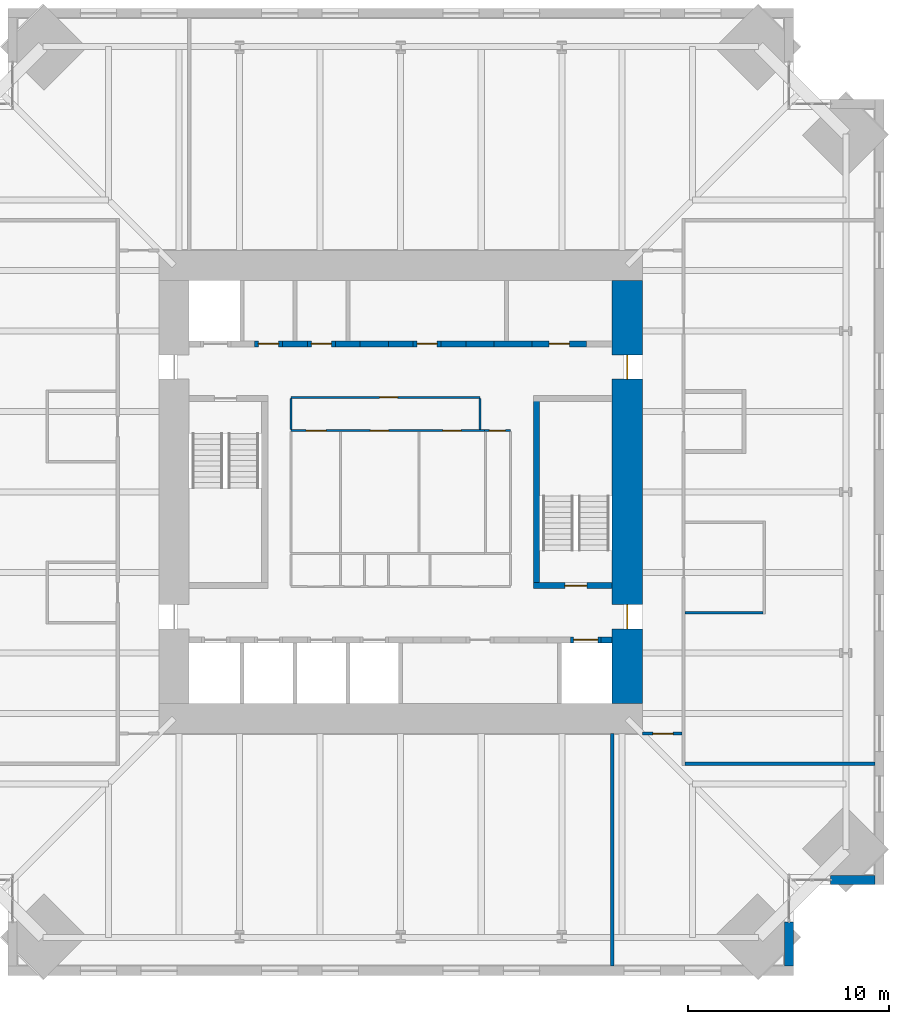
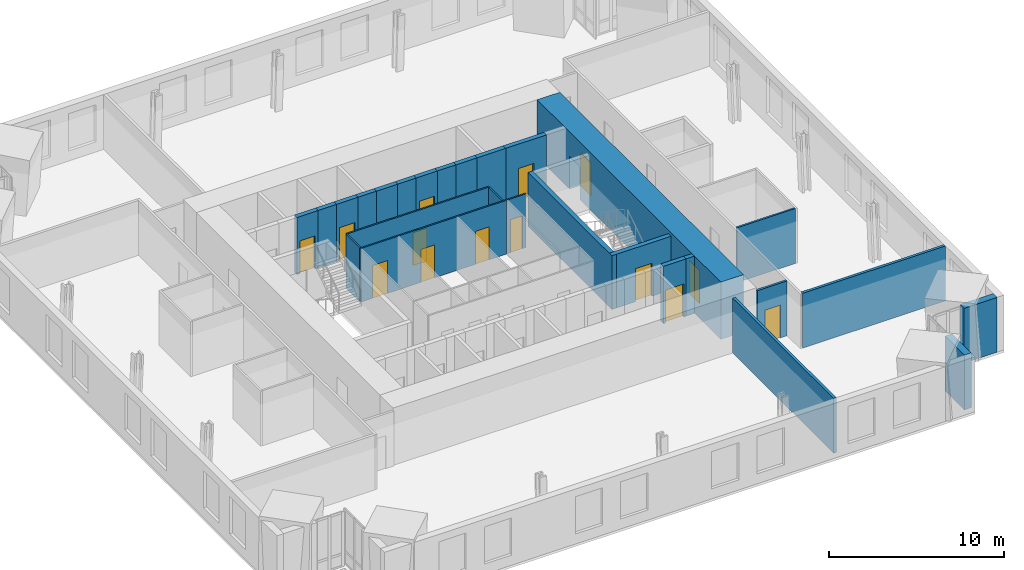
# One storey, part 12 of 15: 27 walls, 14 doors, 14 openings.
"""IFC4 building model written with IfcOpenShell, lengths in metres."""

from ifc_helpers import new_model, si_unit, direction, frame, frame_2d, origin, place, context, subcontext, project, spatial, rectangle, extrude, material, layer, layer_set, type_object, element, fill, save


model = new_model("IFC4")

# Units and contexts
model_context = context("Model", 3, precision=1e-05, world=origin(), true_north=direction((0.0, 1.0)))
body_context = subcontext(model_context, "Body", "Model", "MODEL_VIEW")
ifc_project = project(units=[si_unit("LENGTHUNIT", "METRE"), si_unit("AREAUNIT", "SQUARE_METRE"), si_unit("VOLUMEUNIT", "CUBIC_METRE"), si_unit("PLANEANGLEUNIT", "RADIAN"), si_unit("MASSUNIT", "GRAM", prefix="KILO")], contexts=[model_context])

# Site, building, storey
site_placement = place(None, origin())
site = spatial("IfcSite", under=ifc_project, at=site_placement, CompositionType="ELEMENT")
building_placement = place(site_placement, origin())
building = spatial("IfcBuilding", under=site, at=building_placement, Name="Peilmerk Tower", CompositionType="ELEMENT")
storey_placement = place(building_placement, frame((0.0, 0.0, 217.800048828125)))
storey = spatial("IfcBuildingStorey", under=building, at=storey_placement, Name="L47", CompositionType="ELEMENT", Elevation=217.800048828125)

# Walls
ifc_material_1 = material(Name="Precast concrete C45/55, board-marked finish", Category="concrete")
ifc_layer_1 = layer(ifc_material_1, 0.449951171875)
ifc_layer_set_1 = layer_set([ifc_layer_1], Name="Precast concrete C45/55, board-marked finish")
wall_type_1 = type_object("IfcWallType", Name="EW1 450 precast concrete facade wall, board-marked", PredefinedType="SOLIDWALL", material=ifc_layer_set_1)
for number, where, z_axis, x_axis, name in (
    (1, (19.27490234375, -21.353759765625, 0.0), (0.0, 0.0, 1.0), (0.0, -1.0, 0.0), "Facade wall SEA L47"),
    (2, (21.353759765625, -19.27490234375, 0.0), (0.0, 0.0, 1.0), (1.0, 0.0, 0.0), "Facade wall SEB L47"),
):
    element("IfcWall", number, at=place(storey_placement, frame(where, z_axis=z_axis, x_axis=x_axis)), inside=storey, type_object=wall_type_1, Name=name, PredefinedType="SOLIDWALL", context=body_context, shape_type="SweptSolid", body=[
        extrude(rectangle(XDim=2.1962890625, YDim=0.449951171875, at=frame_2d((1.09814453125, 0.0))), origin(), (0.0, 0.0, 1.0), 3.829833984375),
    ])

# Wall, opening, door
ifc_material_2 = material(Name="Calcium silicate block", Category="masonry")
ifc_layer_2 = layer(ifc_material_2, 0.14990234375)
ifc_layer_set_2 = layer_set([ifc_layer_2], Name="Calcium silicate block")
wall_type_2 = type_object("IfcWallType", Name="IW1 150 corridor partition, EI 60", PredefinedType="PARTITIONING", material=ifc_layer_set_2)
wall_1_placement = place(storey_placement, frame((13.97509765625, -12.0, 0.0), z_axis=(0.0, 0.0, 1.0), x_axis=(-1.0, 0.0, 0.0)))
wall_1 = element("IfcWall", 3, at=wall_1_placement, inside=storey, type_object=wall_type_2, Name="Corridor wall SE L47", PredefinedType="PARTITIONING", context=body_context, shape_type="SweptSolid", body=[
    extrude(rectangle(XDim=1.97509765625, YDim=0.14990234375, at=frame_2d((0.987548828125, 0.0))), origin(), (0.0, 0.0, 1.0), 3.829833984375),
])
opening_1_placement = place(wall_1_placement, frame((0.449951171875, 0.0, 0.0)))
opening_1 = element("IfcOpeningElement", 4, at=opening_1_placement, cuts=wall_1, Name="Opening D1", PredefinedType="OPENING", context=body_context, shape_type="SweptSolid", body=[
    extrude(rectangle(XDim=1.0, YDim=2.300048828125, at=frame_2d((0.5, 1.14990234375))), frame((0.0, 0.0849609375, 0.0), z_axis=(0.0, -1.0, 0.0), x_axis=(1.0, 0.0, 0.0)), (0.0, 0.0, 1.0), 0.169921875),
])
ifc_material_3 = material(Name="Timber door in steel frame", Category="steel")
door_type_1 = type_object("IfcDoorType", Name="D1 1000x2300 room door, EI2 30", OperationType="SINGLE_SWING_LEFT", PredefinedType="DOOR", material=ifc_material_3)
door_1_placement = place(opening_1_placement, origin())
door_1 = element("IfcDoor", 5, at=door_1_placement, inside=storey, type_object=door_type_1, Name="Door Open workspace L47", OperationType="SINGLE_SWING_LEFT", OverallHeight=2.300048828125, OverallWidth=1.0, PredefinedType="DOOR", context=body_context, shape_type="SweptSolid", body=[
    extrude(rectangle(XDim=1.0, YDim=2.300048828125, at=frame_2d((0.5, 1.14990234375))), frame((0.0, 0.02490234375, 0.0), z_axis=(0.0, -1.0, 0.0), x_axis=(1.0, 0.0, 0.0)), (0.0, 0.0, 1.0), 0.050048828125),
])
fill(opening_1, door_1)

# Wall
ifc_material_4 = material(Name="Concrete C35/45", Category="concrete")
ifc_layer_3 = layer(ifc_material_4, 0.300048828125)
ifc_layer_set_3 = layer_set([ifc_layer_3], Name="Concrete C35/45")
wall_type_3 = type_object("IfcWallType", Name="IW3 300 concrete stair enclosure wall, EI 120", PredefinedType="SOLIDWALL", material=ifc_layer_set_3)
wall_2_placement = place(storey_placement, frame((6.75, -4.800048828125, 0.0), z_axis=(0.0, 0.0, 1.0), x_axis=(0.0, 1.0, 0.0)))
element("IfcWall", 6, at=wall_2_placement, inside=storey, type_object=wall_type_3, Name="Stair 2 enclosure L47", PredefinedType="SOLIDWALL", context=body_context, shape_type="SweptSolid", body=[
    extrude(rectangle(XDim=9.60009765625, YDim=0.300048828125, at=frame_2d((4.800048828125, 0.0))), origin(), (0.0, 0.0, 1.0), 3.75),
])

# Wall, opening, door
wall_3_placement = place(storey_placement, frame((10.5, -4.64990234375, 0.0), z_axis=(0.0, 0.0, 1.0), x_axis=(-1.0, 0.0, 0.0)))
wall_3 = element("IfcWall", 7, at=wall_3_placement, inside=storey, type_object=wall_type_3, Name="Stair 2 enclosure L47", PredefinedType="SOLIDWALL", context=body_context, shape_type="SweptSolid", body=[
    extrude(rectangle(XDim=3.89990234375, YDim=0.300048828125, at=frame_2d((1.949951171875, 0.0))), origin(), (0.0, 0.0, 1.0), 3.75),
])
opening_2_placement = place(wall_3_placement, frame((1.25, 0.0, 0.0)))
opening_2 = element("IfcOpeningElement", 8, at=opening_2_placement, cuts=wall_3, Name="Opening D4", PredefinedType="OPENING", context=body_context, shape_type="SweptSolid", body=[
    extrude(rectangle(XDim=1.10009765625, YDim=2.300048828125, at=frame_2d((0.550048828125, 1.14990234375))), frame((0.0, 0.159912109375, 0.0), z_axis=(0.0, -1.0, 0.0), x_axis=(1.0, 0.0, 0.0)), (0.0, 0.0, 1.0), 0.320068359375),
])
ifc_material_5 = material(Name="Steel door in steel frame", Category="steel")
door_type_2 = type_object("IfcDoorType", Name="D4 1100x2300 stair door, EI2 60", OperationType="SINGLE_SWING_RIGHT", PredefinedType="DOOR", material=ifc_material_5)
door_2_placement = place(opening_2_placement, frame((1.10009765625, 0.0, 0.0), z_axis=(0.0, 0.0, 1.0), x_axis=(-1.0, 0.0, 0.0)))
door_2 = element("IfcDoor", 9, at=door_2_placement, inside=storey, type_object=door_type_2, Name="Stair 2 door L47", OperationType="SINGLE_SWING_RIGHT", OverallHeight=2.300048828125, OverallWidth=1.10009765625, PredefinedType="DOOR", context=body_context, shape_type="SweptSolid", body=[
    extrude(rectangle(XDim=1.10009765625, YDim=2.300048828125, at=frame_2d((0.550048828125, 1.14990234375))), frame((0.0, 0.02490234375, 0.0), z_axis=(0.0, -1.0, 0.0), x_axis=(1.0, 0.0, 0.0)), (0.0, 0.0, 1.0), 0.050048828125),
])
fill(opening_2, door_2)

# Wall, openings, doors
ifc_material_6 = material(Name="Plasterboard on steel studs", Category="steel")
ifc_layer_4 = layer(ifc_material_6, 0.10009765625)
ifc_layer_set_4 = layer_set([ifc_layer_4], Name="Plasterboard on steel studs")
wall_type_4 = type_object("IfcWallType", Name="IW4 100 WC partition", PredefinedType="PARTITIONING", material=ifc_layer_set_4)
wall_4_placement = place(storey_placement, frame((-5.449951171875, 3.050048828125, 0.0), z_axis=(0.0, 0.0, 1.0), x_axis=(1.0, 0.0, 0.0)))
wall_4 = element("IfcWall", 10, at=wall_4_placement, inside=storey, type_object=wall_type_4, Name="WC wall L47", PredefinedType="PARTITIONING", context=body_context, shape_type="SweptSolid", body=[
    extrude(rectangle(XDim=9.599853515625, YDim=0.10009765625, at=frame_2d((4.7998046875, 0.0))), origin(), (0.0, 0.0, 1.0), 3.75),
])
opening_3_placement = place(wall_4_placement, frame((0.75, 0.0, 0.0)))
opening_3 = element("IfcOpeningElement", 11, at=opening_3_placement, cuts=wall_4, Name="Opening D6", PredefinedType="OPENING", context=body_context, shape_type="SweptSolid", body=[
    extrude(rectangle(XDim=1.0, YDim=2.300048828125, at=frame_2d((0.5, 1.14990234375))), frame((0.0, 0.06005859375, 0.0), z_axis=(0.0, -1.0, 0.0), x_axis=(1.0, 0.0, 0.0)), (0.0, 0.0, 1.0), 0.1201171875),
])
opening_4_placement = place(wall_4_placement, frame((3.949951171875, 0.0, 0.0)))
opening_4 = element("IfcOpeningElement", 12, at=opening_4_placement, cuts=wall_4, Name="Opening D5", PredefinedType="OPENING", context=body_context, shape_type="SweptSolid", body=[
    extrude(rectangle(XDim=0.89990234375, YDim=2.300048828125, at=frame_2d((0.449951171875, 1.14990234375))), frame((0.0, 0.06005859375, 0.0), z_axis=(0.0, -1.0, 0.0), x_axis=(1.0, 0.0, 0.0)), (0.0, 0.0, 1.0), 0.1201171875),
])
opening_5_placement = place(wall_4_placement, frame((7.550048828125, 0.0, 0.0)))
opening_5 = element("IfcOpeningElement", 13, at=opening_5_placement, cuts=wall_4, Name="Opening D5", PredefinedType="OPENING", context=body_context, shape_type="SweptSolid", body=[
    extrude(rectangle(XDim=0.89990234375, YDim=2.300048828125, at=frame_2d((0.449951171875, 1.14990234375))), frame((0.0, 0.06005859375, 0.0), z_axis=(0.0, -1.0, 0.0), x_axis=(1.0, 0.0, 0.0)), (0.0, 0.0, 1.0), 0.1201171875),
])
door_type_3 = type_object("IfcDoorType", Name="D5 900x2300 WC door", OperationType="SINGLE_SWING_LEFT", PredefinedType="DOOR", material=ifc_material_3)
door_3_placement = place(opening_4_placement, frame((0.89990234375, 0.0, 0.0), z_axis=(0.0, 0.0, 1.0), x_axis=(-1.0, 0.0, 0.0)))
door_3 = element("IfcDoor", 14, at=door_3_placement, inside=storey, type_object=door_type_3, Name="Female toilets door L47", OperationType="SINGLE_SWING_LEFT", OverallHeight=2.300048828125, OverallWidth=0.89990234375, PredefinedType="DOOR", context=body_context, shape_type="SweptSolid", body=[
    extrude(rectangle(XDim=0.89990234375, YDim=2.300048828125, at=frame_2d((0.449951171875, 1.14990234375))), frame((0.0, 0.02490234375, 0.0), z_axis=(0.0, -1.0, 0.0), x_axis=(1.0, 0.0, 0.0)), (0.0, 0.0, 1.0), 0.050048828125),
])
fill(opening_4, door_3)
door_4_placement = place(opening_5_placement, frame((0.89990234375, 0.0, 0.0), z_axis=(0.0, 0.0, 1.0), x_axis=(-1.0, 0.0, 0.0)))
door_4 = element("IfcDoor", 15, at=door_4_placement, inside=storey, type_object=door_type_3, Name="Male toilets door L47", OperationType="SINGLE_SWING_LEFT", OverallHeight=2.300048828125, OverallWidth=0.89990234375, PredefinedType="DOOR", context=body_context, shape_type="SweptSolid", body=[
    extrude(rectangle(XDim=0.89990234375, YDim=2.300048828125, at=frame_2d((0.449951171875, 1.14990234375))), frame((0.0, 0.02490234375, 0.0), z_axis=(0.0, -1.0, 0.0), x_axis=(1.0, 0.0, 0.0)), (0.0, 0.0, 1.0), 0.050048828125),
])
fill(opening_5, door_4)
door_type_4 = type_object("IfcDoorType", Name="D6 1000x2300 accessible WC door", OperationType="SLIDING_TO_LEFT", PredefinedType="DOOR", material=ifc_material_3)
door_5_placement = place(opening_3_placement, frame((1.0, 0.0, 0.0), z_axis=(0.0, 0.0, 1.0), x_axis=(-1.0, 0.0, 0.0)))
door_5 = element("IfcDoor", 16, at=door_5_placement, inside=storey, type_object=door_type_4, Name="Accessible WC door L47", OperationType="SLIDING_TO_LEFT", OverallHeight=2.300048828125, OverallWidth=1.0, PredefinedType="DOOR", context=body_context, shape_type="SweptSolid", body=[
    extrude(rectangle(XDim=1.0, YDim=2.300048828125, at=frame_2d((0.5, 1.14990234375))), frame((0.0, 0.02490234375, 0.0), z_axis=(0.0, -1.0, 0.0), x_axis=(1.0, 0.0, 0.0)), (0.0, 0.0, 1.0), 0.050048828125),
])
fill(opening_3, door_5)

# Wall, opening, door
ifc_material_7 = material(Name="Calcium silicate board on steel studs", Category="steel")
ifc_layer_5 = layer(ifc_material_7, 0.10009765625)
ifc_layer_set_5 = layer_set([ifc_layer_5], Name="Calcium silicate board on steel studs")
wall_type_5 = type_object("IfcWallType", Name="IW5 100 riser enclosure wall, EI 60", PredefinedType="PARTITIONING", material=ifc_layer_set_5)
wall_5_placement = place(storey_placement, frame((4.14990234375, 3.050048828125, 0.0), z_axis=(0.0, 0.0, 1.0), x_axis=(1.0, 0.0, 0.0)))
wall_5 = element("IfcWall", 17, at=wall_5_placement, inside=storey, type_object=wall_type_5, Name="Riser wall L47", PredefinedType="PARTITIONING", context=body_context, shape_type="SweptSolid", body=[
    extrude(rectangle(XDim=1.300048828125, YDim=0.10009765625, at=frame_2d((0.64990234375, 0.0))), origin(), (0.0, 0.0, 1.0), 3.75),
])
opening_6_placement = place(wall_5_placement, frame((0.25, 0.0, 0.0)))
opening_6 = element("IfcOpeningElement", 18, at=opening_6_placement, cuts=wall_5, Name="Opening D7", PredefinedType="OPENING", context=body_context, shape_type="SweptSolid", body=[
    extrude(rectangle(XDim=0.800048828125, YDim=2.300048828125, at=frame_2d((0.39990234375, 1.14990234375))), frame((0.0, 0.06005859375, 0.0), z_axis=(0.0, -1.0, 0.0), x_axis=(1.0, 0.0, 0.0)), (0.0, 0.0, 1.0), 0.1201171875),
])
door_type_5 = type_object("IfcDoorType", Name="D7 800x2300 riser access door, EI2 60", OperationType="SINGLE_SWING_RIGHT", PredefinedType="DOOR", material=ifc_material_5)
door_6_placement = place(opening_6_placement, frame((0.800048828125, 0.0, 0.0), z_axis=(0.0, 0.0, 1.0), x_axis=(-1.0, 0.0, 0.0)))
door_6 = element("IfcDoor", 19, at=door_6_placement, inside=storey, type_object=door_type_5, Name="Plumbing riser door L47", OperationType="SINGLE_SWING_RIGHT", OverallHeight=2.300048828125, OverallWidth=0.800048828125, PredefinedType="DOOR", context=body_context, shape_type="SweptSolid", body=[
    extrude(rectangle(XDim=0.800048828125, YDim=2.300048828125, at=frame_2d((0.39990234375, 1.14990234375))), frame((0.0, 0.02490234375, 0.0), z_axis=(0.0, -1.0, 0.0), x_axis=(1.0, 0.0, 0.0)), (0.0, 0.0, 1.0), 0.050048828125),
])
fill(opening_6, door_6)

# Walls
ifc_material_8 = material(Name="Plasterboard on steel studs, double boarded with mineral wool", Category="steel")
ifc_layer_6 = layer(ifc_material_8, 0.125)
ifc_layer_set_6 = layer_set([ifc_layer_6], Name="Plasterboard on steel studs, double boarded with mineral wool")
wall_type_6 = type_object("IfcWallType", Name="IW7 125 acoustic partition, EI 30", PredefinedType="PARTITIONING", material=ifc_layer_set_6)
wall_6_placement = place(storey_placement, frame((14.125, -6.0, 0.0), z_axis=(0.0, 0.0, 1.0), x_axis=(1.0, 0.0, 0.0)))
element("IfcWall", 20, at=wall_6_placement, inside=storey, type_object=wall_type_6, Name="Acoustic partition Meeting room L47", PredefinedType="PARTITIONING", context=body_context, shape_type="SweptSolid", body=[
    extrude(rectangle(XDim=3.862548828125, YDim=0.125, at=frame_2d((1.93115234375, 0.0))), origin(), (0.0, 0.0, 1.0), 3.829833984375),
])
ifc_layer_7 = layer(ifc_material_2, 0.175048828125)
ifc_layer_set_7 = layer_set([ifc_layer_7], Name="Calcium silicate block")
wall_type_7 = type_object("IfcWallType", Name="IW8 175 tenant separating wall, EI 60", PredefinedType="PARTITIONING", material=ifc_layer_set_7)
wall_7_placement = place(storey_placement, frame((23.550048828125, -13.5, 0.0), z_axis=(0.0, 0.0, 1.0), x_axis=(-1.0, 0.0, 0.0)))
element("IfcWall", 21, at=wall_7_placement, inside=storey, type_object=wall_type_7, Name="Tenant separating wall SE L47", PredefinedType="PARTITIONING", context=body_context, shape_type="SweptSolid", body=[
    extrude(rectangle(XDim=9.425048828125, YDim=0.175048828125, at=frame_2d((4.71240234375, 0.0))), origin(), (0.0, 0.0, 1.0), 3.829833984375),
])
wall_8_placement = place(storey_placement, frame((10.5, -12.0, 0.0), z_axis=(0.0, 0.0, 1.0), x_axis=(0.0, -1.0, 0.0)))
element("IfcWall", 22, at=wall_8_placement, inside=storey, type_object=wall_type_7, Name="Tenant separating wall S1 L47", PredefinedType="PARTITIONING", context=body_context, shape_type="SweptSolid", body=[
    extrude(rectangle(XDim=11.550048828125, YDim=0.175048828125, at=frame_2d((5.77490234375, 0.0))), origin(), (0.0, 0.0, 1.0), 3.829833984375),
])

# Wall, opening, door
ifc_material_9 = material(Name="Fire-resisting plasterboard on steel studs", Category="steel")
ifc_layer_8 = layer(ifc_material_9, 0.10009765625)
ifc_layer_set_8 = layer_set([ifc_layer_8], Name="Fire-resisting plasterboard on steel studs")
wall_type_8 = type_object("IfcWallType", Name="IW9 100 WC lobby wall, EI 30", PredefinedType="PARTITIONING", material=ifc_layer_set_8)
wall_9_placement = place(storey_placement, frame((-5.449951171875, 4.699951171875, 0.0), z_axis=(0.0, 0.0, 1.0), x_axis=(1.0, 0.0, 0.0)))
wall_9 = element("IfcWall", 23, at=wall_9_placement, inside=storey, type_object=wall_type_8, Name="WC lobby wall L47", PredefinedType="PARTITIONING", context=body_context, shape_type="SweptSolid", body=[
    extrude(rectangle(XDim=9.39990234375, YDim=0.10009765625, at=frame_2d((4.699951171875, 0.0))), origin(), (0.0, 0.0, 1.0), 3.75),
])
opening_7_placement = place(wall_9_placement, frame((4.39990234375, 0.0, 0.0)))
opening_7 = element("IfcOpeningElement", 24, at=opening_7_placement, cuts=wall_9, Name="Opening D11", PredefinedType="OPENING", context=body_context, shape_type="SweptSolid", body=[
    extrude(rectangle(XDim=0.89990234375, YDim=2.300048828125, at=frame_2d((0.449951171875, 1.14990234375))), frame((0.0, 0.06005859375, 0.0), z_axis=(0.0, -1.0, 0.0), x_axis=(1.0, 0.0, 0.0)), (0.0, 0.0, 1.0), 0.1201171875),
])
door_type_6 = type_object("IfcDoorType", Name="D11 900x2300 WC lobby door, EI2 30", OperationType="SINGLE_SWING_LEFT", PredefinedType="DOOR", material=ifc_material_3)
door_7_placement = place(opening_7_placement, frame((0.89990234375, 0.0, 0.0), z_axis=(0.0, 0.0, 1.0), x_axis=(-1.0, 0.0, 0.0)))
door_7 = element("IfcDoor", 25, at=door_7_placement, inside=storey, type_object=door_type_6, Name="WC lobby door L47", OperationType="SINGLE_SWING_LEFT", OverallHeight=2.300048828125, OverallWidth=0.89990234375, PredefinedType="DOOR", context=body_context, shape_type="SweptSolid", body=[
    extrude(rectangle(XDim=0.89990234375, YDim=2.300048828125, at=frame_2d((0.449951171875, 1.14990234375))), frame((0.0, 0.02490234375, 0.0), z_axis=(0.0, -1.0, 0.0), x_axis=(1.0, 0.0, 0.0)), (0.0, 0.0, 1.0), 0.050048828125),
])
fill(opening_7, door_7)

# Walls
for number, where, z_axis, x_axis, name in (
    (26, (-5.449951171875, 3.10009765625, 0.0), (0.0, 0.0, 1.0), (0.0, 1.0, 0.0), "WC lobby wall L47"),
    (27, (3.949951171875, 3.10009765625, 0.0), (0.0, 0.0, 1.0), (0.0, 1.0, 0.0), "WC lobby wall L47"),
):
    element("IfcWall", number, at=place(storey_placement, frame(where, z_axis=z_axis, x_axis=x_axis)), inside=storey, type_object=wall_type_8, Name=name, PredefinedType="PARTITIONING", context=body_context, shape_type="SweptSolid", body=[
        extrude(rectangle(XDim=1.5498046875, YDim=0.10009765625, at=frame_2d((0.77490234375, 0.0))), origin(), (0.0, 0.0, 1.0), 3.75),
    ])

# Wall, opening, door
ifc_layer_9 = layer(ifc_material_2, 0.300048828125)
ifc_layer_set_9 = layer_set([ifc_layer_9], Name="Calcium silicate block")
wall_type_9 = type_object("IfcWallType", Name="SH2 300 lift landing door panel, EI 120", PredefinedType="PARTITIONING", material=ifc_layer_set_9)
wall_10_placement = place(storey_placement, frame((-7.262451171875, 7.35009765625, 0.0), z_axis=(0.0, 0.0, 1.0), x_axis=(1.0, 0.0, 0.0)))
wall_10 = element("IfcWall", 28, at=wall_10_placement, inside=storey, type_object=wall_type_9, Name="Lift door panel N A1 L47", PredefinedType="PARTITIONING", context=body_context, shape_type="SweptSolid", body=[
    extrude(rectangle(XDim=1.39990234375, YDim=0.300048828125, at=frame_2d((0.699951171875, 0.0))), origin(), (0.0, 0.0, 1.0), 4.0),
])
opening_8_placement = place(wall_10_placement, frame((0.199951171875, 0.0, 0.0)))
opening_8 = element("IfcOpeningElement", 29, at=opening_8_placement, cuts=wall_10, Name="Opening D10", PredefinedType="OPENING", context=body_context, shape_type="SweptSolid", body=[
    extrude(rectangle(XDim=1.0, YDim=2.300048828125, at=frame_2d((0.5, 1.14990234375))), frame((0.0, 0.159912109375, 0.0), z_axis=(0.0, -1.0, 0.0), x_axis=(1.0, 0.0, 0.0)), (0.0, 0.0, 1.0), 0.320068359375),
])
door_type_7 = type_object("IfcDoorType", Name="D10 1000x2300 core room door, EI2 60", OperationType="SINGLE_SWING_RIGHT", PredefinedType="DOOR", material=ifc_material_5)
door_8_placement = place(opening_8_placement, origin())
door_8 = element("IfcDoor", 30, at=door_8_placement, inside=storey, type_object=door_type_7, Name="Door Water meter room L47", OperationType="SINGLE_SWING_RIGHT", OverallHeight=2.300048828125, OverallWidth=1.0, PredefinedType="DOOR", context=body_context, shape_type="SweptSolid", body=[
    extrude(rectangle(XDim=1.0, YDim=2.300048828125, at=frame_2d((0.5, 1.14990234375))), frame((0.0, 0.02490234375, 0.0), z_axis=(0.0, -1.0, 0.0), x_axis=(1.0, 0.0, 0.0)), (0.0, 0.0, 1.0), 0.050048828125),
])
fill(opening_8, door_8)

wall_11_placement = place(storey_placement, frame((-4.637451171875, 7.35009765625, 0.0), z_axis=(0.0, 0.0, 1.0), x_axis=(1.0, 0.0, 0.0)))
wall_11 = element("IfcWall", 31, at=wall_11_placement, inside=storey, type_object=wall_type_9, Name="Lift door panel N A2 L47", PredefinedType="PARTITIONING", context=body_context, shape_type="SweptSolid", body=[
    extrude(rectangle(XDim=1.39990234375, YDim=0.300048828125, at=frame_2d((0.699951171875, 0.0))), origin(), (0.0, 0.0, 1.0), 4.0),
])
opening_9_placement = place(wall_11_placement, frame((0.199951171875, 0.0, 0.0)))
opening_9 = element("IfcOpeningElement", 32, at=opening_9_placement, cuts=wall_11, Name="Opening D10", PredefinedType="OPENING", context=body_context, shape_type="SweptSolid", body=[
    extrude(rectangle(XDim=1.0, YDim=2.300048828125, at=frame_2d((0.5, 1.14990234375))), frame((0.0, 0.159912109375, 0.0), z_axis=(0.0, -1.0, 0.0), x_axis=(1.0, 0.0, 0.0)), (0.0, 0.0, 1.0), 0.320068359375),
])
door_9_placement = place(opening_9_placement, origin())
door_9 = element("IfcDoor", 33, at=door_9_placement, inside=storey, type_object=door_type_7, Name="Door Staff WC L47", OperationType="SINGLE_SWING_RIGHT", OverallHeight=2.300048828125, OverallWidth=1.0, PredefinedType="DOOR", context=body_context, shape_type="SweptSolid", body=[
    extrude(rectangle(XDim=1.0, YDim=2.300048828125, at=frame_2d((0.5, 1.14990234375))), frame((0.0, 0.02490234375, 0.0), z_axis=(0.0, -1.0, 0.0), x_axis=(1.0, 0.0, 0.0)), (0.0, 0.0, 1.0), 0.050048828125),
])
fill(opening_9, door_9)

# Wall
wall_12_placement = place(storey_placement, frame((-2.012451171875, 7.35009765625, 0.0), z_axis=(0.0, 0.0, 1.0), x_axis=(1.0, 0.0, 0.0)))
element("IfcWall", 34, at=wall_12_placement, inside=storey, type_object=wall_type_9, Name="Lift door panel N A3 L47", PredefinedType="PARTITIONING", context=body_context, shape_type="SweptSolid", body=[
    extrude(rectangle(XDim=1.39990234375, YDim=0.300048828125, at=frame_2d((0.699951171875, 0.0))), origin(), (0.0, 0.0, 1.0), 4.0),
])

# Wall, opening, door
wall_13_placement = place(storey_placement, frame((0.612548828125, 7.35009765625, 0.0), z_axis=(0.0, 0.0, 1.0), x_axis=(1.0, 0.0, 0.0)))
wall_13 = element("IfcWall", 35, at=wall_13_placement, inside=storey, type_object=wall_type_9, Name="Lift door panel N S1 L47", PredefinedType="PARTITIONING", context=body_context, shape_type="SweptSolid", body=[
    extrude(rectangle(XDim=1.39990234375, YDim=0.300048828125, at=frame_2d((0.699951171875, 0.0))), origin(), (0.0, 0.0, 1.0), 4.0),
])
opening_10_placement = place(wall_13_placement, frame((0.199951171875, 0.0, 0.0)))
opening_10 = element("IfcOpeningElement", 36, at=opening_10_placement, cuts=wall_13, Name="Opening D10", PredefinedType="OPENING", context=body_context, shape_type="SweptSolid", body=[
    extrude(rectangle(XDim=1.0, YDim=2.300048828125, at=frame_2d((0.5, 1.14990234375))), frame((0.0, 0.159912109375, 0.0), z_axis=(0.0, -1.0, 0.0), x_axis=(1.0, 0.0, 0.0)), (0.0, 0.0, 1.0), 0.320068359375),
])
door_10_placement = place(opening_10_placement, origin())
door_10 = element("IfcDoor", 37, at=door_10_placement, inside=storey, type_object=door_type_7, Name="Door Staff room L47", OperationType="SINGLE_SWING_RIGHT", OverallHeight=2.300048828125, OverallWidth=1.0, PredefinedType="DOOR", context=body_context, shape_type="SweptSolid", body=[
    extrude(rectangle(XDim=1.0, YDim=2.300048828125, at=frame_2d((0.5, 1.14990234375))), frame((0.0, 0.02490234375, 0.0), z_axis=(0.0, -1.0, 0.0), x_axis=(1.0, 0.0, 0.0)), (0.0, 0.0, 1.0), 0.050048828125),
])
fill(opening_10, door_10)

# Wall
wall_14_placement = place(storey_placement, frame((3.237548828125, 7.35009765625, 0.0), z_axis=(0.0, 0.0, 1.0), x_axis=(1.0, 0.0, 0.0)))
element("IfcWall", 38, at=wall_14_placement, inside=storey, type_object=wall_type_9, Name="Lift door panel N S2 L47", PredefinedType="PARTITIONING", context=body_context, shape_type="SweptSolid", body=[
    extrude(rectangle(XDim=1.39990234375, YDim=0.300048828125, at=frame_2d((0.699951171875, 0.0))), origin(), (0.0, 0.0, 1.0), 4.0),
])

# Wall, opening, door
wall_15_placement = place(storey_placement, frame((6.52490234375, 7.35009765625, 0.0), z_axis=(0.0, 0.0, 1.0), x_axis=(1.0, 0.0, 0.0)))
wall_15 = element("IfcWall", 39, at=wall_15_placement, inside=storey, type_object=wall_type_9, Name="Lift door panel N GL1 L47", PredefinedType="PARTITIONING", context=body_context, shape_type="SweptSolid", body=[
    extrude(rectangle(XDim=2.7001953125, YDim=0.300048828125, at=frame_2d((1.35009765625, 0.0))), origin(), (0.0, 0.0, 1.0), 4.0),
])
opening_11_placement = place(wall_15_placement, frame((0.85009765625, 0.0, 0.0)))
opening_11 = element("IfcOpeningElement", 40, at=opening_11_placement, cuts=wall_15, Name="Opening D10", PredefinedType="OPENING", context=body_context, shape_type="SweptSolid", body=[
    extrude(rectangle(XDim=1.0, YDim=2.300048828125, at=frame_2d((0.5, 1.14990234375))), frame((0.0, 0.159912109375, 0.0), z_axis=(0.0, -1.0, 0.0), x_axis=(1.0, 0.0, 0.0)), (0.0, 0.0, 1.0), 0.320068359375),
])
door_11_placement = place(opening_11_placement, origin())
door_11 = element("IfcDoor", 41, at=door_11_placement, inside=storey, type_object=door_type_7, Name="Door IT room L47", OperationType="SINGLE_SWING_RIGHT", OverallHeight=2.300048828125, OverallWidth=1.0, PredefinedType="DOOR", context=body_context, shape_type="SweptSolid", body=[
    extrude(rectangle(XDim=1.0, YDim=2.300048828125, at=frame_2d((0.5, 1.14990234375))), frame((0.0, 0.02490234375, 0.0), z_axis=(0.0, -1.0, 0.0), x_axis=(1.0, 0.0, 0.0)), (0.0, 0.0, 1.0), 0.050048828125),
])
fill(opening_11, door_11)

wall_16_placement = place(storey_placement, frame((8.4375, -7.35009765625, 0.0), z_axis=(0.0, 0.0, 1.0), x_axis=(1.0, 0.0, 0.0)))
wall_16 = element("IfcWall", 42, at=wall_16_placement, inside=storey, type_object=wall_type_9, Name="Lift door panel S FL2 L47", PredefinedType="PARTITIONING", context=body_context, shape_type="SweptSolid", body=[
    extrude(rectangle(XDim=1.5, YDim=0.300048828125, at=frame_2d((0.75, 0.0))), origin(), (0.0, 0.0, 1.0), 4.0),
])
opening_12_placement = place(wall_16_placement, frame((0.14990234375, 0.0, 0.0)))
opening_12 = element("IfcOpeningElement", 43, at=opening_12_placement, cuts=wall_16, Name="Opening LD2", PredefinedType="OPENING", context=body_context, shape_type="SweptSolid", body=[
    extrude(rectangle(XDim=1.199951171875, YDim=2.300048828125, at=frame_2d((0.60009765625, 1.14990234375))), frame((0.0, 0.159912109375, 0.0), z_axis=(0.0, -1.0, 0.0), x_axis=(1.0, 0.0, 0.0)), (0.0, 0.0, 1.0), 0.320068359375),
])
ifc_material_10 = material(Name="Stainless steel landing door", Category="steel")
door_type_8 = type_object("IfcDoorType", Name="LD2 1200x2300 lift landing door, sliding, EI2 60", OperationType="SLIDING_TO_LEFT", PredefinedType="DOOR", material=ifc_material_10)
door_12_placement = place(opening_12_placement, origin())
door_12 = element("IfcDoor", 44, at=door_12_placement, inside=storey, type_object=door_type_8, Name="Lift landing door FL2 L47", OperationType="SLIDING_TO_LEFT", OverallHeight=2.300048828125, OverallWidth=1.199951171875, PredefinedType="DOOR", context=body_context, shape_type="SweptSolid", body=[
    extrude(rectangle(XDim=1.199951171875, YDim=2.300048828125, at=frame_2d((0.60009765625, 1.14990234375))), frame((0.0, 0.02490234375, 0.0), z_axis=(0.0, -1.0, 0.0), x_axis=(1.0, 0.0, 0.0)), (0.0, 0.0, 1.0), 0.050048828125),
])
fill(opening_12, door_12)

# Wall, openings, doors
ifc_material_11 = material(Name="Concrete C55/67", Category="concrete")
ifc_layer_10 = layer(ifc_material_11, 1.5)
ifc_layer_set_10 = layer_set([ifc_layer_10], Name="Concrete C55/67")
wall_type_10 = type_object("IfcWallType", Name="SW1 1500 core wall", PredefinedType="SHEAR", material=ifc_layer_set_10)
wall_17_placement = place(storey_placement, frame((11.25, 10.5, 0.0), z_axis=(0.0, 0.0, 1.0), x_axis=(0.0, -1.0, 0.0)))
wall_17 = element("IfcWall", 45, at=wall_17_placement, inside=storey, type_object=wall_type_10, Name="Core wall E L47", PredefinedType="SHEAR", context=body_context, shape_type="SweptSolid", body=[
    extrude(rectangle(XDim=21.0, YDim=1.5, at=frame_2d((10.5, 0.0))), origin(), (0.0, 0.0, 1.0), 4.0),
])
opening_13_placement = place(wall_17_placement, frame((3.699951171875, 0.0, 0.0)))
opening_13 = element("IfcOpeningElement", 46, at=opening_13_placement, cuts=wall_17, Name="Opening D3", PredefinedType="OPENING", context=body_context, shape_type="SweptSolid", body=[
    extrude(rectangle(XDim=1.199951171875, YDim=2.300048828125, at=frame_2d((0.60009765625, 1.14990234375))), frame((0.0, 0.760009765625, 0.0), z_axis=(0.0, -1.0, 0.0), x_axis=(1.0, 0.0, 0.0)), (0.0, 0.0, 1.0), 1.52001953125),
])
opening_14_placement = place(wall_17_placement, frame((16.10009765625, 0.0, 0.0)))
opening_14 = element("IfcOpeningElement", 47, at=opening_14_placement, cuts=wall_17, Name="Opening D3", PredefinedType="OPENING", context=body_context, shape_type="SweptSolid", body=[
    extrude(rectangle(XDim=1.199951171875, YDim=2.300048828125, at=frame_2d((0.60009765625, 1.14990234375))), frame((0.0, 0.760009765625, 0.0), z_axis=(0.0, -1.0, 0.0), x_axis=(1.0, 0.0, 0.0)), (0.0, 0.0, 1.0), 1.52001953125),
])
door_type_9 = type_object("IfcDoorType", Name="D3 1200x2300 core door, EI2 60", OperationType="SINGLE_SWING_LEFT", PredefinedType="DOOR", material=ifc_material_5)
door_13_placement = place(opening_13_placement, frame((1.199951171875, 0.0, 0.0), z_axis=(0.0, 0.0, 1.0), x_axis=(-1.0, 0.0, 0.0)))
door_13 = element("IfcDoor", 48, at=door_13_placement, inside=storey, type_object=door_type_9, Name="Core door L47", OperationType="SINGLE_SWING_LEFT", OverallHeight=2.300048828125, OverallWidth=1.199951171875, PredefinedType="DOOR", context=body_context, shape_type="SweptSolid", body=[
    extrude(rectangle(XDim=1.199951171875, YDim=2.300048828125, at=frame_2d((0.60009765625, 1.14990234375))), frame((0.0, 0.02490234375, 0.0), z_axis=(0.0, -1.0, 0.0), x_axis=(1.0, 0.0, 0.0)), (0.0, 0.0, 1.0), 0.050048828125),
])
fill(opening_13, door_13)
door_14_placement = place(opening_14_placement, frame((1.199951171875, 0.0, 0.0), z_axis=(0.0, 0.0, 1.0), x_axis=(-1.0, 0.0, 0.0)))
door_14 = element("IfcDoor", 49, at=door_14_placement, inside=storey, type_object=door_type_9, Name="Core door L47", OperationType="SINGLE_SWING_LEFT", OverallHeight=2.300048828125, OverallWidth=1.199951171875, PredefinedType="DOOR", context=body_context, shape_type="SweptSolid", body=[
    extrude(rectangle(XDim=1.199951171875, YDim=2.300048828125, at=frame_2d((0.60009765625, 1.14990234375))), frame((0.0, 0.02490234375, 0.0), z_axis=(0.0, -1.0, 0.0), x_axis=(1.0, 0.0, 0.0)), (0.0, 0.0, 1.0), 0.050048828125),
])
fill(opening_14, door_14)

# Walls
ifc_layer_11 = layer(ifc_material_11, 0.300048828125)
ifc_layer_set_11 = layer_set([ifc_layer_11], Name="Concrete C55/67")
wall_type_11 = type_object("IfcWallType", Name="SW2 300 lift bank pier", PredefinedType="SHEAR", material=ifc_layer_set_11)
for number, where, z_axis, x_axis, name in (
    (50, (-5.862548828125, 7.35009765625, 0.0), (0.0, 0.0, 1.0), (1.0, 0.0, 0.0), "Lift bank pier N L47"),
    (51, (-3.237548828125, 7.35009765625, 0.0), (0.0, 0.0, 1.0), (1.0, 0.0, 0.0), "Lift bank pier N L47"),
    (52, (-0.612548828125, 7.35009765625, 0.0), (0.0, 0.0, 1.0), (1.0, 0.0, 0.0), "Lift bank pier N L47"),
    (53, (2.012451171875, 7.35009765625, 0.0), (0.0, 0.0, 1.0), (1.0, 0.0, 0.0), "Lift bank pier N L47"),
):
    element("IfcWall", number, at=place(storey_placement, frame(where, z_axis=z_axis, x_axis=x_axis)), inside=storey, type_object=wall_type_11, Name=name, PredefinedType="SHEAR", context=body_context, shape_type="SweptSolid", body=[
        extrude(rectangle(XDim=1.22509765625, YDim=0.300048828125, at=frame_2d((0.612548828125, 0.0))), origin(), (0.0, 0.0, 1.0), 4.0),
    ])
wall_18_placement = place(storey_placement, frame((4.637451171875, 7.35009765625, 0.0), z_axis=(0.0, 0.0, 1.0), x_axis=(1.0, 0.0, 0.0)))
element("IfcWall", 54, at=wall_18_placement, inside=storey, type_object=wall_type_11, Name="Lift bank pier N L47", PredefinedType="SHEAR", context=body_context, shape_type="SweptSolid", body=[
    extrude(rectangle(XDim=1.887451171875, YDim=0.300048828125, at=frame_2d((0.94384765625, 0.0))), origin(), (0.0, 0.0, 1.0), 4.0),
])
wall_19_placement = place(storey_placement, frame((9.9375, -7.35009765625, 0.0), z_axis=(0.0, 0.0, 1.0), x_axis=(1.0, 0.0, 0.0)))
element("IfcWall", 55, at=wall_19_placement, inside=storey, type_object=wall_type_11, Name="Lift bank pier S L47", PredefinedType="SHEAR", context=body_context, shape_type="SweptSolid", body=[
    extrude(rectangle(XDim=0.5625, YDim=0.300048828125, at=frame_2d((0.28125, 0.0))), origin(), (0.0, 0.0, 1.0), 4.0),
])

save(model, "model.ifc")
